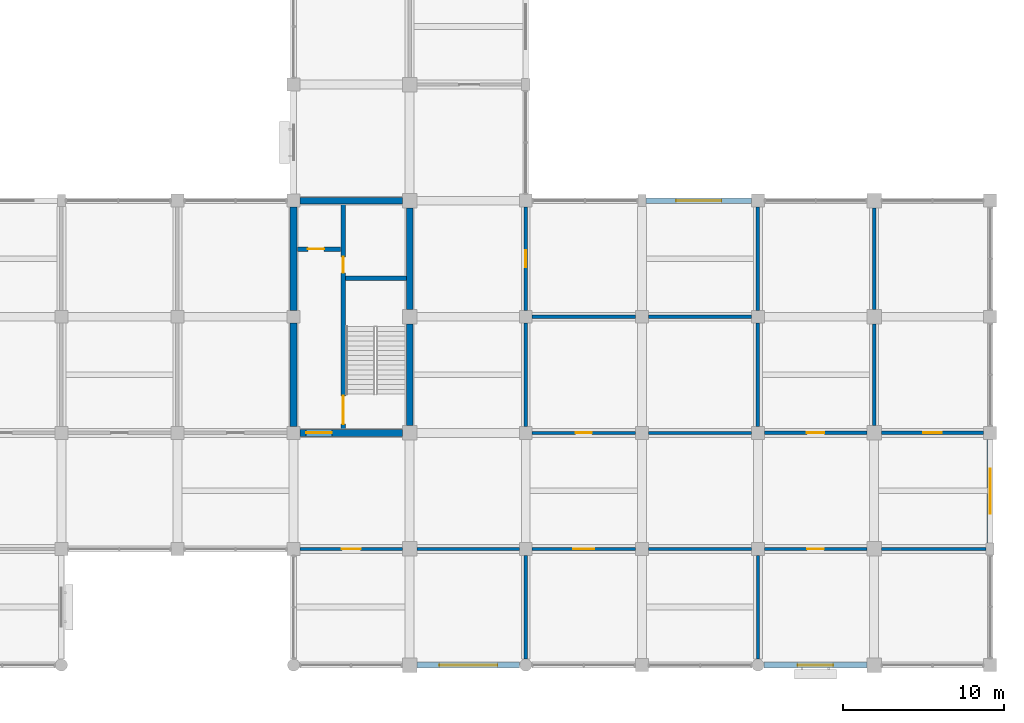
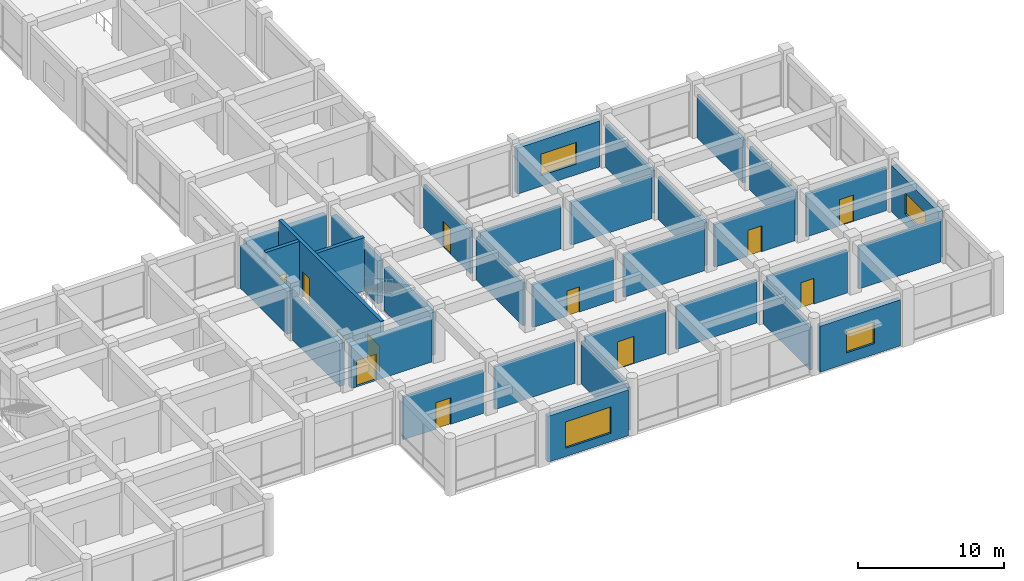
# One storey, part 63 of 75: 33 walls, 11 doors, 4 windows, 15 openings.
"""IFC4 building model written with IfcOpenShell, lengths in metres."""

from ifc_helpers import new_model, si_unit, direction, frame, frame_2d, origin, place, context, subcontext, project, spatial, rectangle, extrude, material, layer, layer_set, type_object, element, fill, save


model = new_model("IFC4")

# Units and contexts
model_context = context("Model", 3, precision=1e-05, world=origin(), true_north=direction((0.0, 1.0)))
body_context = subcontext(model_context, "Body", "Model", "MODEL_VIEW")
ifc_project = project(units=[si_unit("LENGTHUNIT", "METRE"), si_unit("AREAUNIT", "SQUARE_METRE"), si_unit("VOLUMEUNIT", "CUBIC_METRE"), si_unit("PLANEANGLEUNIT", "RADIAN"), si_unit("MASSUNIT", "GRAM", prefix="KILO")], contexts=[model_context])

# Site, building, storey
site_placement = place(None, origin())
site = spatial("IfcSite", under=ifc_project, at=site_placement, CompositionType="ELEMENT")
building_placement = place(site_placement, origin())
building = spatial("IfcBuilding", under=site, at=building_placement, Name="Cendaluz Park School", CompositionType="ELEMENT")
storey_placement = place(building_placement, frame((0.0, 0.0, 4.800048828125)))
storey = spatial("IfcBuildingStorey", under=building, at=storey_placement, Name="L01", CompositionType="ELEMENT", Elevation=4.800048828125)

# Wall, opening, door
ifc_material_1 = material(Name="Gypsum Plasterboard on Cold-Formed Stud", Category="gypsum")
ifc_layer_1 = layer(ifc_material_1, 0.199951171875)
ifc_layer_set_1 = layer_set([ifc_layer_1], Name="Gypsum Plasterboard on Cold-Formed Stud")
wall_type_1 = type_object("IfcWallType", Name="W-AC20", PredefinedType="PARTITIONING", material=ifc_layer_set_1)
wall_1_placement = place(storey_placement, frame((130.0, 7.199951171875, 0.0), z_axis=(0.0, 0.0, 1.0), x_axis=(1.0, 0.0, 0.0)))
wall_1 = element("IfcWall", 1, at=wall_1_placement, inside=storey, type_object=wall_type_1, Name="WL-FB-CA4", PredefinedType="PARTITIONING", context=body_context, shape_type="SweptSolid", body=[
    extrude(rectangle(XDim=6.35009765625, YDim=0.199951171875, at=frame_2d((3.175048828125, 0.0))), origin(), (0.0, 0.0, 1.0), 3.579833984375),
])
opening_1_placement = place(wall_1_placement, frame((2.594970703125, 0.0, 0.0)))
opening_1 = element("IfcOpeningElement", 2, at=opening_1_placement, cuts=wall_1, Name="Opening DCL-07", PredefinedType="OPENING", context=body_context, shape_type="SweptSolid", body=[
    extrude(rectangle(XDim=1.159912109375, YDim=2.219970703125, at=frame_2d((0.580078125, 1.10986328125))), frame((0.0, 0.112060546875, 0.0), z_axis=(0.0, -1.0, 0.0), x_axis=(1.0, 0.0, 0.0)), (0.0, 0.0, 1.0), 0.223876953125),
])
ifc_material_2 = material(Name="Solid Core Hardwood", Category="wood")
door_type_1 = type_object("IfcDoorType", Name="DCL-07", OperationType="NOTDEFINED", PredefinedType="DOOR", material=ifc_material_2)
door_1_placement = place(opening_1_placement, frame((1.159912109375, 0.0, 0.0), z_axis=(0.0, 0.0, 1.0), x_axis=(-1.0, 0.0, 0.0)))
door_1 = element("IfcDoor", 3, at=door_1_placement, inside=storey, type_object=door_type_1, Name="D-L01-079", OperationType="SINGLE_SWING_LEFT", OverallHeight=2.219970703125, OverallWidth=1.159912109375, PredefinedType="DOOR", context=body_context, shape_type="SweptSolid", body=[
    extrude(rectangle(XDim=1.159912109375, YDim=2.219970703125, at=frame_2d((0.580078125, 1.10986328125))), frame((0.0, 0.02490234375, 0.0), z_axis=(0.0, -1.0, 0.0), x_axis=(1.0, 0.0, 0.0)), (0.0, 0.0, 1.0), 0.050048828125),
])
fill(opening_1, door_1)

# Walls
wall_2_placement = place(storey_placement, frame((137.25, 7.199951171875, 0.0), z_axis=(0.0, 0.0, 1.0), x_axis=(1.0, 0.0, 0.0)))
element("IfcWall", 4, at=wall_2_placement, inside=storey, type_object=wall_type_1, Name="WL-FB-CA5", PredefinedType="PARTITIONING", context=body_context, shape_type="SweptSolid", body=[
    extrude(rectangle(XDim=6.35009765625, YDim=0.199951171875, at=frame_2d((3.175048828125, 0.0))), origin(), (0.0, 0.0, 1.0), 3.579833984375),
])
wall_3_placement = place(storey_placement, frame((144.0, 0.375, 0.0), z_axis=(0.0, 0.0, 1.0), x_axis=(0.0, 1.0, 0.0)))
element("IfcWall", 5, at=wall_3_placement, inside=storey, type_object=wall_type_1, Name="WL-FB-CA6", PredefinedType="PARTITIONING", context=body_context, shape_type="SweptSolid", body=[
    extrude(rectangle(XDim=6.425048828125, YDim=0.199951171875, at=frame_2d((3.21240234375, 0.0))), origin(), (0.0, 0.0, 1.0), 3.579833984375),
])

# Wall, opening, door
wall_4_placement = place(storey_placement, frame((144.39990234375, 7.199951171875, 0.0), z_axis=(0.0, 0.0, 1.0), x_axis=(1.0, 0.0, 0.0)))
wall_4 = element("IfcWall", 6, at=wall_4_placement, inside=storey, type_object=wall_type_1, Name="WL-FB-CB2", PredefinedType="PARTITIONING", context=body_context, shape_type="SweptSolid", body=[
    extrude(rectangle(XDim=6.400146484375, YDim=0.199951171875, at=frame_2d((3.2001953125, 0.0))), origin(), (0.0, 0.0, 1.0), 3.579833984375),
])
opening_2_placement = place(wall_4_placement, frame((2.56005859375, 0.0, 0.0)))
opening_2 = element("IfcOpeningElement", 7, at=opening_2_placement, cuts=wall_4, Name="Opening DCL-10", PredefinedType="OPENING", context=body_context, shape_type="SweptSolid", body=[
    extrude(rectangle(XDim=1.280029296875, YDim=2.280029296875, at=frame_2d((0.64013671875, 1.14013671875))), frame((0.0, 0.112060546875, 0.0), z_axis=(0.0, -1.0, 0.0), x_axis=(1.0, 0.0, 0.0)), (0.0, 0.0, 1.0), 0.223876953125),
])
door_type_2 = type_object("IfcDoorType", Name="DCL-10", OperationType="NOTDEFINED", PredefinedType="DOOR", material=ifc_material_2)
door_2_placement = place(opening_2_placement, frame((1.280029296875, 0.0, 0.0), z_axis=(0.0, 0.0, 1.0), x_axis=(-1.0, 0.0, 0.0)))
door_2 = element("IfcDoor", 8, at=door_2_placement, inside=storey, type_object=door_type_2, Name="D-L01-082", OperationType="SINGLE_SWING_RIGHT", OverallHeight=2.280029296875, OverallWidth=1.280029296875, PredefinedType="DOOR", context=body_context, shape_type="SweptSolid", body=[
    extrude(rectangle(XDim=1.280029296875, YDim=2.280029296875, at=frame_2d((0.64013671875, 1.14013671875))), frame((0.0, 0.02490234375, 0.0), z_axis=(0.0, -1.0, 0.0), x_axis=(1.0, 0.0, 0.0)), (0.0, 0.0, 1.0), 0.050048828125),
])
fill(opening_2, door_2)

# Walls
wall_5_placement = place(storey_placement, frame((151.60009765625, 7.199951171875, 0.0), z_axis=(0.0, 0.0, 1.0), x_axis=(1.0, 0.0, 0.0)))
element("IfcWall", 9, at=wall_5_placement, inside=storey, type_object=wall_type_1, Name="WL-FB-CB3", PredefinedType="PARTITIONING", context=body_context, shape_type="SweptSolid", body=[
    extrude(rectangle(XDim=6.39990234375, YDim=0.199951171875, at=frame_2d((3.199951171875, 0.0))), origin(), (0.0, 0.0, 1.0), 3.579833984375),
])
wall_6_placement = place(storey_placement, frame((158.39990234375, 0.375, 0.0), z_axis=(0.0, 0.0, 1.0), x_axis=(0.0, 1.0, 0.0)))
element("IfcWall", 10, at=wall_6_placement, inside=storey, type_object=wall_type_1, Name="WL-FB-CB4", PredefinedType="PARTITIONING", context=body_context, shape_type="SweptSolid", body=[
    extrude(rectangle(XDim=6.425048828125, YDim=0.199951171875, at=frame_2d((3.21240234375, 0.0))), origin(), (0.0, 0.0, 1.0), 3.579833984375),
])

# Wall, opening, door
wall_7_placement = place(storey_placement, frame((144.39990234375, 14.39990234375, 0.0), z_axis=(0.0, 0.0, 1.0), x_axis=(1.0, 0.0, 0.0)))
wall_7 = element("IfcWall", 11, at=wall_7_placement, inside=storey, type_object=wall_type_1, Name="WL-FB-CB5", PredefinedType="PARTITIONING", context=body_context, shape_type="SweptSolid", body=[
    extrude(rectangle(XDim=6.400146484375, YDim=0.199951171875, at=frame_2d((3.2001953125, 0.0))), origin(), (0.0, 0.0, 1.0), 3.579833984375),
])
opening_3_placement = place(wall_7_placement, frame((2.699951171875, 0.0, 0.0)))
opening_3 = element("IfcOpeningElement", 12, at=opening_3_placement, cuts=wall_7, Name="Opening DCL-01", PredefinedType="OPENING", context=body_context, shape_type="SweptSolid", body=[
    extrude(rectangle(XDim=1.0, YDim=2.10009765625, at=frame_2d((0.5, 1.050048828125))), frame((0.0, 0.112060546875, 0.0), z_axis=(0.0, -1.0, 0.0), x_axis=(1.0, 0.0, 0.0)), (0.0, 0.0, 1.0), 0.223876953125),
])
door_type_3 = type_object("IfcDoorType", Name="DCL-01", OperationType="NOTDEFINED", PredefinedType="DOOR", material=ifc_material_2)
door_3_placement = place(opening_3_placement, origin())
door_3 = element("IfcDoor", 13, at=door_3_placement, inside=storey, type_object=door_type_3, Name="D-L01-083", OperationType="SINGLE_SWING_LEFT", OverallHeight=2.10009765625, OverallWidth=1.0, PredefinedType="DOOR", context=body_context, shape_type="SweptSolid", body=[
    extrude(rectangle(XDim=1.0, YDim=2.10009765625, at=frame_2d((0.5, 1.050048828125))), frame((0.0, 0.02490234375, 0.0), z_axis=(0.0, -1.0, 0.0), x_axis=(1.0, 0.0, 0.0)), (0.0, 0.0, 1.0), 0.050048828125),
])
fill(opening_3, door_3)

# Walls
for number, where, z_axis, x_axis, name in (
    (14, (144.0, 14.800048828125, 0.0), (0.0, 0.0, 1.0), (0.0, 1.0, 0.0), "WL-FB-CB6"),
    (15, (151.60009765625, 14.39990234375, 0.0), (0.0, 0.0, 1.0), (1.0, 0.0, 0.0), "WL-FB-CB7"),
):
    element("IfcWall", number, at=place(storey_placement, frame(where, z_axis=z_axis, x_axis=x_axis)), inside=storey, type_object=wall_type_1, Name=name, PredefinedType="PARTITIONING", context=body_context, shape_type="SweptSolid", body=[
        extrude(rectangle(XDim=6.39990234375, YDim=0.199951171875, at=frame_2d((3.199951171875, 0.0))), origin(), (0.0, 0.0, 1.0), 3.579833984375),
    ])

# Wall, opening, door
wall_8_placement = place(storey_placement, frame((158.800048828125, 7.199951171875, 0.0), z_axis=(0.0, 0.0, 1.0), x_axis=(1.0, 0.0, 0.0)))
wall_8 = element("IfcWall", 16, at=wall_8_placement, inside=storey, type_object=wall_type_1, Name="WL-FB-CC1", PredefinedType="PARTITIONING", context=body_context, shape_type="SweptSolid", body=[
    extrude(rectangle(XDim=6.349853515625, YDim=0.199951171875, at=frame_2d((3.1748046875, 0.0))), origin(), (0.0, 0.0, 1.0), 3.579833984375),
])
opening_4_placement = place(wall_8_placement, frame((2.655029296875, 0.0, 0.0)))
opening_4 = element("IfcOpeningElement", 17, at=opening_4_placement, cuts=wall_8, Name="Opening DCL-03", PredefinedType="OPENING", context=body_context, shape_type="SweptSolid", body=[
    extrude(rectangle(XDim=1.0400390625, YDim=2.139892578125, at=frame_2d((0.52001953125, 1.06982421875))), frame((0.0, 0.112060546875, 0.0), z_axis=(0.0, -1.0, 0.0), x_axis=(1.0, 0.0, 0.0)), (0.0, 0.0, 1.0), 0.223876953125),
])
door_type_4 = type_object("IfcDoorType", Name="DCL-03", OperationType="NOTDEFINED", PredefinedType="DOOR", material=ifc_material_2)
door_4_placement = place(opening_4_placement, frame((1.0400390625, 0.0, 0.0), z_axis=(0.0, 0.0, 1.0), x_axis=(-1.0, 0.0, 0.0)))
door_4 = element("IfcDoor", 18, at=door_4_placement, inside=storey, type_object=door_type_4, Name="D-L01-085", OperationType="SINGLE_SWING_LEFT", OverallHeight=2.139892578125, OverallWidth=1.0400390625, PredefinedType="DOOR", context=body_context, shape_type="SweptSolid", body=[
    extrude(rectangle(XDim=1.0400390625, YDim=2.139892578125, at=frame_2d((0.52001953125, 1.06982421875))), frame((0.0, 0.02490234375, 0.0), z_axis=(0.0, -1.0, 0.0), x_axis=(1.0, 0.0, 0.0)), (0.0, 0.0, 1.0), 0.050048828125),
])
fill(opening_4, door_4)

# Wall
wall_9_placement = place(storey_placement, frame((166.050048828125, 7.199951171875, 0.0), z_axis=(0.0, 0.0, 1.0), x_axis=(1.0, 0.0, 0.0)))
element("IfcWall", 19, at=wall_9_placement, inside=storey, type_object=wall_type_1, Name="WL-FB-CC2", PredefinedType="PARTITIONING", context=body_context, shape_type="SweptSolid", body=[
    extrude(rectangle(XDim=6.5, YDim=0.199951171875, at=frame_2d((3.25, 0.0))), origin(), (0.0, 0.0, 1.0), 3.579833984375),
])

# Wall, opening, window
ifc_material_3 = material(Name="Concrete C40/50 precast", Category="concrete")
ifc_layer_2 = layer(ifc_material_3, 0.360107421875)
ifc_layer_set_2 = layer_set([ifc_layer_2], Name="Concrete C40/50 precast")
wall_type_2 = type_object("IfcWallType", Name="W-EX36", PredefinedType="SOLIDWALL", material=ifc_layer_set_2)
wall_10_placement = place(storey_placement, frame((137.25, 0.0, 0.0), z_axis=(0.0, 0.0, 1.0), x_axis=(1.0, 0.0, 0.0)))
wall_10 = element("IfcWall", 20, at=wall_10_placement, inside=storey, type_object=wall_type_2, Name="WL-FB-AC9", PredefinedType="SOLIDWALL", context=body_context, shape_type="SweptSolid", body=[
    extrude(rectangle(XDim=6.375, YDim=0.360107421875, at=frame_2d((3.1875, 0.0))), origin(), (0.0, 0.0, 1.0), 3.849853515625),
])
opening_5_placement = place(wall_10_placement, frame((1.387451171875, 0.0, 0.699951171875)))
opening_5 = element("IfcOpeningElement", 21, at=opening_5_placement, cuts=wall_10, Name="Opening WN-26", PredefinedType="OPENING", context=body_context, shape_type="SweptSolid", body=[
    extrude(rectangle(XDim=3.60009765625, YDim=2.199951171875, at=frame_2d((1.800048828125, 1.10009765625))), frame((0.0, 0.192138671875, 0.0), z_axis=(0.0, -1.0, 0.0), x_axis=(1.0, 0.0, 0.0)), (0.0, 0.0, 1.0), 0.384033203125),
])
ifc_material_4 = material(Name="Tempered Low-E Double Glazing", Category="glass")
window_type_1 = type_object("IfcWindowType", Name="WN-26", PartitioningType="SINGLE_PANEL", PredefinedType="WINDOW", material=ifc_material_4)
window_1_placement = place(opening_5_placement, origin())
window_1 = element("IfcWindow", 22, at=window_1_placement, inside=storey, type_object=window_type_1, Name="WN-L01-030", OverallHeight=2.199951171875, OverallWidth=3.60009765625, PartitioningType="SINGLE_PANEL", PredefinedType="WINDOW", context=body_context, shape_type="SweptSolid", body=[
    extrude(rectangle(XDim=3.60009765625, YDim=2.199951171875, at=frame_2d((1.800048828125, 1.10009765625))), frame((0.0, 0.030029296875, 0.0), z_axis=(0.0, -1.0, 0.0), x_axis=(1.0, 0.0, 0.0)), (0.0, 0.0, 1.0), 0.06005859375),
])
fill(opening_5, window_1)

wall_11_placement = place(storey_placement, frame((151.449951171875, 28.800048828125, 0.0), z_axis=(0.0, 0.0, 1.0), x_axis=(1.0, 0.0, 0.0)))
wall_11 = element("IfcWall", 23, at=wall_11_placement, inside=storey, type_object=wall_type_2, Name="WL-FB-AD2", PredefinedType="SOLIDWALL", context=body_context, shape_type="SweptSolid", body=[
    extrude(rectangle(XDim=6.550048828125, YDim=0.360107421875, at=frame_2d((3.27490234375, 0.0))), origin(), (0.0, 0.0, 1.0), 3.849853515625),
])
opening_6_placement = place(wall_11_placement, frame((1.875, 0.0, 0.89990234375)))
opening_6 = element("IfcOpeningElement", 24, at=opening_6_placement, cuts=wall_11, Name="Opening WN-06", PredefinedType="OPENING", context=body_context, shape_type="SweptSolid", body=[
    extrude(rectangle(XDim=2.800048828125, YDim=1.800048828125, at=frame_2d((1.39990234375, 0.89990234375))), frame((0.0, 0.192138671875, 0.0), z_axis=(0.0, -1.0, 0.0), x_axis=(1.0, 0.0, 0.0)), (0.0, 0.0, 1.0), 0.384033203125),
])
window_type_2 = type_object("IfcWindowType", Name="WN-06", PartitioningType="SINGLE_PANEL", PredefinedType="WINDOW", material=ifc_material_4)
window_2_placement = place(opening_6_placement, origin())
window_2 = element("IfcWindow", 25, at=window_2_placement, inside=storey, type_object=window_type_2, Name="WN-L01-033", OverallHeight=1.800048828125, OverallWidth=2.800048828125, PartitioningType="SINGLE_PANEL", PredefinedType="WINDOW", context=body_context, shape_type="SweptSolid", body=[
    extrude(rectangle(XDim=2.800048828125, YDim=1.800048828125, at=frame_2d((1.39990234375, 0.89990234375))), frame((0.0, 0.030029296875, 0.0), z_axis=(0.0, -1.0, 0.0), x_axis=(1.0, 0.0, 0.0)), (0.0, 0.0, 1.0), 0.06005859375),
])
fill(opening_6, window_2)

wall_12_placement = place(storey_placement, frame((158.77490234375, 0.0, 0.0), z_axis=(0.0, 0.0, 1.0), x_axis=(1.0, 0.0, 0.0)))
wall_12 = element("IfcWall", 26, at=wall_12_placement, inside=storey, type_object=wall_type_2, Name="WL-FB-AD4", PredefinedType="SOLIDWALL", context=body_context, shape_type="SweptSolid", body=[
    extrude(rectangle(XDim=6.375, YDim=0.360107421875, at=frame_2d((3.1875, 0.0))), origin(), (0.0, 0.0, 1.0), 3.849853515625),
])
opening_7_placement = place(wall_12_placement, frame((2.08740234375, 0.0, 0.89990234375)))
opening_7 = element("IfcOpeningElement", 27, at=opening_7_placement, cuts=wall_12, Name="Opening WN-03", PredefinedType="OPENING", context=body_context, shape_type="SweptSolid", body=[
    extrude(rectangle(XDim=2.199951171875, YDim=1.800048828125, at=frame_2d((1.10009765625, 0.89990234375))), frame((0.0, 0.192138671875, 0.0), z_axis=(0.0, -1.0, 0.0), x_axis=(1.0, 0.0, 0.0)), (0.0, 0.0, 1.0), 0.384033203125),
])
window_type_3 = type_object("IfcWindowType", Name="WN-03", PartitioningType="SINGLE_PANEL", PredefinedType="WINDOW", material=ifc_material_4)
window_3_placement = place(opening_7_placement, origin())
window_3 = element("IfcWindow", 28, at=window_3_placement, inside=storey, type_object=window_type_3, Name="WN-L01-035", OverallHeight=1.800048828125, OverallWidth=2.199951171875, PartitioningType="SINGLE_PANEL", PredefinedType="WINDOW", context=body_context, shape_type="SweptSolid", body=[
    extrude(rectangle(XDim=2.199951171875, YDim=1.800048828125, at=frame_2d((1.10009765625, 0.89990234375))), frame((0.0, 0.030029296875, 0.0), z_axis=(0.0, -1.0, 0.0), x_axis=(1.0, 0.0, 0.0)), (0.0, 0.0, 1.0), 0.06005859375),
])
fill(opening_7, window_3)

wall_13_placement = place(storey_placement, frame((172.800048828125, 7.574951171875, 0.0), z_axis=(0.0, 0.0, 1.0), x_axis=(0.0, 1.0, 0.0)))
wall_13 = element("IfcWall", 29, at=wall_13_placement, inside=storey, type_object=wall_type_2, Name="WL-FB-AD5", PredefinedType="SOLIDWALL", context=body_context, shape_type="SweptSolid", body=[
    extrude(rectangle(XDim=6.425048828125, YDim=0.360107421875, at=frame_2d((3.21240234375, 0.0))), origin(), (0.0, 0.0, 1.0), 3.849853515625),
])
opening_8_placement = place(wall_13_placement, frame((1.8125, 0.0, 0.89990234375)))
opening_8 = element("IfcOpeningElement", 30, at=opening_8_placement, cuts=wall_13, Name="Opening WN-06", PredefinedType="OPENING", context=body_context, shape_type="SweptSolid", body=[
    extrude(rectangle(XDim=2.800048828125, YDim=1.800048828125, at=frame_2d((1.39990234375, 0.89990234375))), frame((0.0, 0.192138671875, 0.0), z_axis=(0.0, -1.0, 0.0), x_axis=(1.0, 0.0, 0.0)), (0.0, 0.0, 1.0), 0.384033203125),
])
window_4_placement = place(opening_8_placement, origin())
window_4 = element("IfcWindow", 31, at=window_4_placement, inside=storey, type_object=window_type_2, Name="WN-L01-036", OverallHeight=1.800048828125, OverallWidth=2.800048828125, PartitioningType="SINGLE_PANEL", PredefinedType="WINDOW", context=body_context, shape_type="SweptSolid", body=[
    extrude(rectangle(XDim=2.800048828125, YDim=1.800048828125, at=frame_2d((1.39990234375, 0.89990234375))), frame((0.0, 0.030029296875, 0.0), z_axis=(0.0, -1.0, 0.0), x_axis=(1.0, 0.0, 0.0)), (0.0, 0.0, 1.0), 0.06005859375),
])
fill(opening_8, window_4)

# Wall, openings, doors
ifc_material_5 = material(Name="Concrete C40/50", Category="concrete")
ifc_layer_3 = layer(ifc_material_5, 0.280029296875)
ifc_layer_set_3 = layer_set([ifc_layer_3], Name="Concrete C40/50")
wall_type_3 = type_object("IfcWallType", Name="W-FW28", PredefinedType="SHEAR", material=ifc_layer_set_3)
wall_14_placement = place(storey_placement, frame((132.679931640625, 14.60009765625, 0.0), z_axis=(0.0, 0.0, 1.0), x_axis=(0.0, 1.0, 0.0)))
wall_14 = element("IfcWall", 32, at=wall_14_placement, inside=storey, type_object=wall_type_3, Name="WL-FB-BN0", PredefinedType="SHEAR", context=body_context, shape_type="SweptSolid", body=[
    extrude(rectangle(XDim=14.0, YDim=0.280029296875, at=frame_2d((7.0, 0.0))), origin(), (0.0, 0.0, 1.0), 4.47998046875),
])
opening_9_placement = place(wall_14_placement, frame((0.35009765625, 0.0, 0.0)))
opening_9 = element("IfcOpeningElement", 33, at=opening_9_placement, cuts=wall_14, Name="Opening DST-03", PredefinedType="OPENING", context=body_context, shape_type="SweptSolid", body=[
    extrude(rectangle(XDim=1.75, YDim=2.14990234375, at=frame_2d((0.875, 1.074951171875))), frame((0.0, 0.152099609375, 0.0), z_axis=(0.0, -1.0, 0.0), x_axis=(1.0, 0.0, 0.0)), (0.0, 0.0, 1.0), 0.303955078125),
])
opening_10_placement = place(wall_14_placement, frame((9.719970703125, 0.0, 0.0)))
opening_10 = element("IfcOpeningElement", 34, at=opening_10_placement, cuts=wall_14, Name="Opening DFC-01", PredefinedType="OPENING", context=body_context, shape_type="SweptSolid", body=[
    extrude(rectangle(XDim=1.0, YDim=2.14990234375, at=frame_2d((0.5, 1.074951171875))), frame((0.0, 0.152099609375, 0.0), z_axis=(0.0, -1.0, 0.0), x_axis=(1.0, 0.0, 0.0)), (0.0, 0.0, 1.0), 0.303955078125),
])
door_type_5 = type_object("IfcDoorType", Name="DFC-01", OperationType="NOTDEFINED", PredefinedType="DOOR", material=ifc_material_2)
door_5_placement = place(opening_10_placement, frame((1.0, 0.0, 0.0), z_axis=(0.0, 0.0, 1.0), x_axis=(-1.0, 0.0, 0.0)))
door_5 = element("IfcDoor", 35, at=door_5_placement, inside=storey, type_object=door_type_5, Name="D-L01-025", OperationType="SINGLE_SWING_LEFT", OverallHeight=2.14990234375, OverallWidth=1.0, PredefinedType="DOOR", context=body_context, shape_type="SweptSolid", body=[
    extrude(rectangle(XDim=1.0, YDim=2.14990234375, at=frame_2d((0.5, 1.074951171875))), frame((0.0, 0.02490234375, 0.0), z_axis=(0.0, -1.0, 0.0), x_axis=(1.0, 0.0, 0.0)), (0.0, 0.0, 1.0), 0.050048828125),
])
fill(opening_10, door_5)
door_type_6 = type_object("IfcDoorType", Name="DST-03", OperationType="DOUBLE_DOOR_SINGLE_SWING", PredefinedType="DOOR", material=ifc_material_2)
door_6_placement = place(opening_9_placement, frame((1.75, 0.0, 0.0), z_axis=(0.0, 0.0, 1.0), x_axis=(-1.0, 0.0, 0.0)))
door_6 = element("IfcDoor", 36, at=door_6_placement, inside=storey, type_object=door_type_6, Name="D-L01-024", OperationType="DOUBLE_DOOR_SINGLE_SWING", OverallHeight=2.14990234375, OverallWidth=1.75, PredefinedType="DOOR", context=body_context, shape_type="SweptSolid", body=[
    extrude(rectangle(XDim=1.75, YDim=2.14990234375, at=frame_2d((0.875, 1.074951171875))), frame((0.0, 0.02490234375, 0.0), z_axis=(0.0, -1.0, 0.0), x_axis=(1.0, 0.0, 0.0)), (0.0, 0.0, 1.0), 0.050048828125),
])
fill(opening_9, door_6)

# Wall
wall_15_placement = place(storey_placement, frame((132.820068359375, 23.97998046875, 0.0), z_axis=(0.0, 0.0, 1.0), x_axis=(1.0, 0.0, 0.0)))
element("IfcWall", 37, at=wall_15_placement, inside=storey, type_object=wall_type_3, Name="WL-FB-BN1", PredefinedType="SHEAR", context=body_context, shape_type="SweptSolid", body=[
    extrude(rectangle(XDim=3.780029296875, YDim=0.280029296875, at=frame_2d((1.89013671875, 0.0))), origin(), (0.0, 0.0, 1.0), 4.47998046875),
])

# Wall, opening, door
wall_16_placement = place(storey_placement, frame((129.840087890625, 25.800048828125, 0.0), z_axis=(0.0, 0.0, 1.0), x_axis=(1.0, 0.0, 0.0)))
wall_16 = element("IfcWall", 38, at=wall_16_placement, inside=storey, type_object=wall_type_3, Name="WL-FB-BN2", PredefinedType="SHEAR", context=body_context, shape_type="SweptSolid", body=[
    extrude(rectangle(XDim=2.679931640625, YDim=0.280029296875, at=frame_2d((1.33984375, 0.0))), origin(), (0.0, 0.0, 1.0), 4.47998046875),
])
opening_11_placement = place(wall_16_placement, frame((0.64990234375, 0.0, 0.0)))
opening_11 = element("IfcOpeningElement", 39, at=opening_11_placement, cuts=wall_16, Name="Opening DFC-01", PredefinedType="OPENING", context=body_context, shape_type="SweptSolid", body=[
    extrude(rectangle(XDim=1.0, YDim=2.14990234375, at=frame_2d((0.5, 1.074951171875))), frame((0.0, 0.152099609375, 0.0), z_axis=(0.0, -1.0, 0.0), x_axis=(1.0, 0.0, 0.0)), (0.0, 0.0, 1.0), 0.303955078125),
])
door_7_placement = place(opening_11_placement, frame((1.0, 0.0, 0.0), z_axis=(0.0, 0.0, 1.0), x_axis=(-1.0, 0.0, 0.0)))
door_7 = element("IfcDoor", 40, at=door_7_placement, inside=storey, type_object=door_type_5, Name="D-L01-026", OperationType="SINGLE_SWING_RIGHT", OverallHeight=2.14990234375, OverallWidth=1.0, PredefinedType="DOOR", context=body_context, shape_type="SweptSolid", body=[
    extrude(rectangle(XDim=1.0, YDim=2.14990234375, at=frame_2d((0.5, 1.074951171875))), frame((0.0, 0.02490234375, 0.0), z_axis=(0.0, -1.0, 0.0), x_axis=(1.0, 0.0, 0.0)), (0.0, 0.0, 1.0), 0.050048828125),
])
fill(opening_11, door_7)

# Wall
ifc_layer_4 = layer(ifc_material_1, 0.219970703125)
ifc_layer_set_4 = layer_set([ifc_layer_4], Name="Gypsum Plasterboard on Cold-Formed Stud")
wall_type_4 = type_object("IfcWallType", Name="W-LB22", PredefinedType="PARTITIONING", material=ifc_layer_set_4)
wall_17_placement = place(storey_placement, frame((144.39990234375, 21.60009765625, 0.0), z_axis=(0.0, 0.0, 1.0), x_axis=(1.0, 0.0, 0.0)))
element("IfcWall", 41, at=wall_17_placement, inside=storey, type_object=wall_type_4, Name="WL-FB-BR8", PredefinedType="PARTITIONING", context=body_context, shape_type="SweptSolid", body=[
    extrude(rectangle(XDim=6.400146484375, YDim=0.219970703125, at=frame_2d((3.2001953125, 0.0))), origin(), (0.0, 0.0, 1.0), 3.579833984375),
])

# Wall, opening, door
wall_18_placement = place(storey_placement, frame((144.0, 22.0, 0.0), z_axis=(0.0, 0.0, 1.0), x_axis=(0.0, 1.0, 0.0)))
wall_18 = element("IfcWall", 42, at=wall_18_placement, inside=storey, type_object=wall_type_4, Name="WL-FB-BR9", PredefinedType="PARTITIONING", context=body_context, shape_type="SweptSolid", body=[
    extrude(rectangle(XDim=6.39990234375, YDim=0.219970703125, at=frame_2d((3.199951171875, 0.0))), origin(), (0.0, 0.0, 1.0), 3.579833984375),
])
opening_12_placement = place(wall_18_placement, frame((2.669921875, 0.0, 0.0)))
opening_12 = element("IfcOpeningElement", 43, at=opening_12_placement, cuts=wall_18, Name="Opening DCL-04", PredefinedType="OPENING", context=body_context, shape_type="SweptSolid", body=[
    extrude(rectangle(XDim=1.06005859375, YDim=2.159912109375, at=frame_2d((0.530029296875, 1.080078125))), frame((0.0, 0.1220703125, 0.0), z_axis=(0.0, -1.0, 0.0), x_axis=(1.0, 0.0, 0.0)), (0.0, 0.0, 1.0), 0.243896484375),
])
door_type_7 = type_object("IfcDoorType", Name="DCL-04", OperationType="NOTDEFINED", PredefinedType="DOOR", material=ifc_material_2)
door_8_placement = place(opening_12_placement, origin())
door_8 = element("IfcDoor", 44, at=door_8_placement, inside=storey, type_object=door_type_7, Name="D-L01-046", OperationType="SINGLE_SWING_RIGHT", OverallHeight=2.159912109375, OverallWidth=1.06005859375, PredefinedType="DOOR", context=body_context, shape_type="SweptSolid", body=[
    extrude(rectangle(XDim=1.06005859375, YDim=2.159912109375, at=frame_2d((0.530029296875, 1.080078125))), frame((0.0, 0.02490234375, 0.0), z_axis=(0.0, -1.0, 0.0), x_axis=(1.0, 0.0, 0.0)), (0.0, 0.0, 1.0), 0.050048828125),
])
fill(opening_12, door_8)

# Walls
for number, where, z_axis, x_axis, name in (
    (45, (151.60009765625, 21.60009765625, 0.0), (0.0, 0.0, 1.0), (1.0, 0.0, 0.0), "WL-FB-BS0"),
    (46, (158.39990234375, 22.0, 0.0), (0.0, 0.0, 1.0), (0.0, 1.0, 0.0), "WL-FB-BS1"),
):
    element("IfcWall", number, at=place(storey_placement, frame(where, z_axis=z_axis, x_axis=x_axis)), inside=storey, type_object=wall_type_4, Name=name, PredefinedType="PARTITIONING", context=body_context, shape_type="SweptSolid", body=[
        extrude(rectangle(XDim=6.39990234375, YDim=0.219970703125, at=frame_2d((3.199951171875, 0.0))), origin(), (0.0, 0.0, 1.0), 3.579833984375),
    ])

# Wall, opening, door
wall_19_placement = place(storey_placement, frame((158.800048828125, 14.39990234375, 0.0), z_axis=(0.0, 0.0, 1.0), x_axis=(1.0, 0.0, 0.0)))
wall_19 = element("IfcWall", 47, at=wall_19_placement, inside=storey, type_object=wall_type_4, Name="WL-FB-BS2", PredefinedType="PARTITIONING", context=body_context, shape_type="SweptSolid", body=[
    extrude(rectangle(XDim=6.349853515625, YDim=0.219970703125, at=frame_2d((3.1748046875, 0.0))), origin(), (0.0, 0.0, 1.0), 3.579833984375),
])
opening_13_placement = place(wall_19_placement, frame((2.635009765625, 0.0, 0.0)))
opening_13 = element("IfcOpeningElement", 48, at=opening_13_placement, cuts=wall_19, Name="Opening DCL-05", PredefinedType="OPENING", context=body_context, shape_type="SweptSolid", body=[
    extrude(rectangle(XDim=1.080078125, YDim=2.179931640625, at=frame_2d((0.5400390625, 1.08984375))), frame((0.0, 0.1220703125, 0.0), z_axis=(0.0, -1.0, 0.0), x_axis=(1.0, 0.0, 0.0)), (0.0, 0.0, 1.0), 0.243896484375),
])
door_type_8 = type_object("IfcDoorType", Name="DCL-05", OperationType="NOTDEFINED", PredefinedType="DOOR", material=ifc_material_2)
door_9_placement = place(opening_13_placement, frame((1.080078125, 0.0, 0.0), z_axis=(0.0, 0.0, 1.0), x_axis=(-1.0, 0.0, 0.0)))
door_9 = element("IfcDoor", 49, at=door_9_placement, inside=storey, type_object=door_type_8, Name="D-L01-047", OperationType="SINGLE_SWING_LEFT", OverallHeight=2.179931640625, OverallWidth=1.080078125, PredefinedType="DOOR", context=body_context, shape_type="SweptSolid", body=[
    extrude(rectangle(XDim=1.080078125, YDim=2.179931640625, at=frame_2d((0.5400390625, 1.08984375))), frame((0.0, 0.02490234375, 0.0), z_axis=(0.0, -1.0, 0.0), x_axis=(1.0, 0.0, 0.0)), (0.0, 0.0, 1.0), 0.050048828125),
])
fill(opening_13, door_9)

# Walls
wall_20_placement = place(storey_placement, frame((158.39990234375, 14.800048828125, 0.0), z_axis=(0.0, 0.0, 1.0), x_axis=(0.0, 1.0, 0.0)))
element("IfcWall", 50, at=wall_20_placement, inside=storey, type_object=wall_type_4, Name="WL-FB-BS3", PredefinedType="PARTITIONING", context=body_context, shape_type="SweptSolid", body=[
    extrude(rectangle(XDim=6.39990234375, YDim=0.219970703125, at=frame_2d((3.199951171875, 0.0))), origin(), (0.0, 0.0, 1.0), 3.579833984375),
])
wall_21_placement = place(storey_placement, frame((165.60009765625, 14.85009765625, 0.0), z_axis=(0.0, 0.0, 1.0), x_axis=(0.0, 1.0, 0.0)))
element("IfcWall", 51, at=wall_21_placement, inside=storey, type_object=wall_type_4, Name="WL-FB-BS4", PredefinedType="PARTITIONING", context=body_context, shape_type="SweptSolid", body=[
    extrude(rectangle(XDim=6.2998046875, YDim=0.219970703125, at=frame_2d((3.14990234375, 0.0))), origin(), (0.0, 0.0, 1.0), 3.579833984375),
])
wall_22_placement = place(storey_placement, frame((165.60009765625, 22.050048828125, 0.0), z_axis=(0.0, 0.0, 1.0), x_axis=(0.0, 1.0, 0.0)))
element("IfcWall", 52, at=wall_22_placement, inside=storey, type_object=wall_type_4, Name="WL-FB-BS5", PredefinedType="PARTITIONING", context=body_context, shape_type="SweptSolid", body=[
    extrude(rectangle(XDim=6.300048828125, YDim=0.219970703125, at=frame_2d((3.14990234375, 0.0))), origin(), (0.0, 0.0, 1.0), 3.579833984375),
])

# Wall, opening, door
wall_23_placement = place(storey_placement, frame((166.050048828125, 14.39990234375, 0.0), z_axis=(0.0, 0.0, 1.0), x_axis=(1.0, 0.0, 0.0)))
wall_23 = element("IfcWall", 53, at=wall_23_placement, inside=storey, type_object=wall_type_4, Name="WL-FB-BS6", PredefinedType="PARTITIONING", context=body_context, shape_type="SweptSolid", body=[
    extrude(rectangle(XDim=6.349853515625, YDim=0.219970703125, at=frame_2d((3.1748046875, 0.0))), origin(), (0.0, 0.0, 1.0), 3.579833984375),
])
opening_14_placement = place(wall_23_placement, frame((2.614990234375, 0.0, 0.0)))
opening_14 = element("IfcOpeningElement", 54, at=opening_14_placement, cuts=wall_23, Name="Opening DCL-06", PredefinedType="OPENING", context=body_context, shape_type="SweptSolid", body=[
    extrude(rectangle(XDim=1.1201171875, YDim=2.199951171875, at=frame_2d((0.56005859375, 1.10009765625))), frame((0.0, 0.1220703125, 0.0), z_axis=(0.0, -1.0, 0.0), x_axis=(1.0, 0.0, 0.0)), (0.0, 0.0, 1.0), 0.243896484375),
])
door_type_9 = type_object("IfcDoorType", Name="DCL-06", OperationType="NOTDEFINED", PredefinedType="DOOR", material=ifc_material_2)
door_10_placement = place(opening_14_placement, frame((1.1201171875, 0.0, 0.0), z_axis=(0.0, 0.0, 1.0), x_axis=(-1.0, 0.0, 0.0)))
door_10 = element("IfcDoor", 55, at=door_10_placement, inside=storey, type_object=door_type_9, Name="D-L01-048", OperationType="SINGLE_SWING_RIGHT", OverallHeight=2.199951171875, OverallWidth=1.1201171875, PredefinedType="DOOR", context=body_context, shape_type="SweptSolid", body=[
    extrude(rectangle(XDim=1.1201171875, YDim=2.199951171875, at=frame_2d((0.56005859375, 1.10009765625))), frame((0.0, 0.02490234375, 0.0), z_axis=(0.0, -1.0, 0.0), x_axis=(1.0, 0.0, 0.0)), (0.0, 0.0, 1.0), 0.050048828125),
])
fill(opening_14, door_10)

# Walls
ifc_layer_5 = layer(ifc_material_5, 0.419921875)
ifc_layer_set_5 = layer_set([ifc_layer_5], Name="Concrete C40/50")
wall_type_5 = type_object("IfcWallType", Name="W-SH42", PredefinedType="SHEAR", material=ifc_layer_set_5)
for number, where, z_axis, x_axis, name in (
    (56, (129.60009765625, 14.800048828125, 0.0), (0.0, 0.0, 1.0), (0.0, 1.0, 0.0), "WL-FB-BM4"),
    (57, (129.60009765625, 22.0, 0.0), (0.0, 0.0, 1.0), (0.0, 1.0, 0.0), "WL-FB-BM5"),
):
    element("IfcWall", number, at=place(storey_placement, frame(where, z_axis=z_axis, x_axis=x_axis)), inside=storey, type_object=wall_type_5, Name=name, PredefinedType="SHEAR", context=body_context, shape_type="SweptSolid", body=[
        extrude(rectangle(XDim=6.39990234375, YDim=0.419921875, at=frame_2d((3.199951171875, 0.0))), origin(), (0.0, 0.0, 1.0), 3.579833984375),
    ])
wall_24_placement = place(storey_placement, frame((136.800048828125, 14.85009765625, 0.0), z_axis=(0.0, 0.0, 1.0), x_axis=(0.0, 1.0, 0.0)))
element("IfcWall", 58, at=wall_24_placement, inside=storey, type_object=wall_type_5, Name="WL-FB-BM6", PredefinedType="SHEAR", context=body_context, shape_type="SweptSolid", body=[
    extrude(rectangle(XDim=6.2998046875, YDim=0.419921875, at=frame_2d((3.14990234375, 0.0))), origin(), (0.0, 0.0, 1.0), 3.579833984375),
])
wall_25_placement = place(storey_placement, frame((136.800048828125, 22.050048828125, 0.0), z_axis=(0.0, 0.0, 1.0), x_axis=(0.0, 1.0, 0.0)))
element("IfcWall", 59, at=wall_25_placement, inside=storey, type_object=wall_type_5, Name="WL-FB-BM7", PredefinedType="SHEAR", context=body_context, shape_type="SweptSolid", body=[
    extrude(rectangle(XDim=6.300048828125, YDim=0.419921875, at=frame_2d((3.14990234375, 0.0))), origin(), (0.0, 0.0, 1.0), 3.579833984375),
])

# Wall, opening, door
wall_26_placement = place(storey_placement, frame((130.0, 14.39990234375, 0.0), z_axis=(0.0, 0.0, 1.0), x_axis=(1.0, 0.0, 0.0)))
wall_26 = element("IfcWall", 60, at=wall_26_placement, inside=storey, type_object=wall_type_5, Name="WL-FB-BM8", PredefinedType="SHEAR", context=body_context, shape_type="SweptSolid", body=[
    extrude(rectangle(XDim=6.35009765625, YDim=0.419921875, at=frame_2d((3.175048828125, 0.0))), origin(), (0.0, 0.0, 1.0), 3.579833984375),
])
opening_15_placement = place(wall_26_placement, frame((0.3798828125, 0.0, 0.0)))
opening_15 = element("IfcOpeningElement", 61, at=opening_15_placement, cuts=wall_26, Name="Opening DLB-01", PredefinedType="OPENING", context=body_context, shape_type="SweptSolid", body=[
    extrude(rectangle(XDim=1.60009765625, YDim=2.199951171875, at=frame_2d((0.800048828125, 1.10009765625))), frame((0.0, 0.221923828125, 0.0), z_axis=(0.0, -1.0, 0.0), x_axis=(1.0, 0.0, 0.0)), (0.0, 0.0, 1.0), 0.44384765625),
])
door_type_10 = type_object("IfcDoorType", Name="DLB-01", OperationType="DOUBLE_DOOR_SINGLE_SWING", PredefinedType="DOOR", material=ifc_material_2)
door_11_placement = place(opening_15_placement, origin())
door_11 = element("IfcDoor", 62, at=door_11_placement, inside=storey, type_object=door_type_10, Name="D-L01-023", OperationType="DOUBLE_DOOR_SINGLE_SWING", OverallHeight=2.199951171875, OverallWidth=1.60009765625, PredefinedType="DOOR", context=body_context, shape_type="SweptSolid", body=[
    extrude(rectangle(XDim=1.60009765625, YDim=2.199951171875, at=frame_2d((0.800048828125, 1.10009765625))), frame((0.0, 0.02490234375, 0.0), z_axis=(0.0, -1.0, 0.0), x_axis=(1.0, 0.0, 0.0)), (0.0, 0.0, 1.0), 0.050048828125),
])
fill(opening_15, door_11)

# Wall
wall_27_placement = place(storey_placement, frame((130.0, 28.800048828125, 0.0), z_axis=(0.0, 0.0, 1.0), x_axis=(1.0, 0.0, 0.0)))
element("IfcWall", 63, at=wall_27_placement, inside=storey, type_object=wall_type_5, Name="WL-FB-BM9", PredefinedType="SHEAR", context=body_context, shape_type="SweptSolid", body=[
    extrude(rectangle(XDim=6.35009765625, YDim=0.419921875, at=frame_2d((3.175048828125, 0.0))), origin(), (0.0, 0.0, 1.0), 3.579833984375),
])

save(model, "model.ifc")
